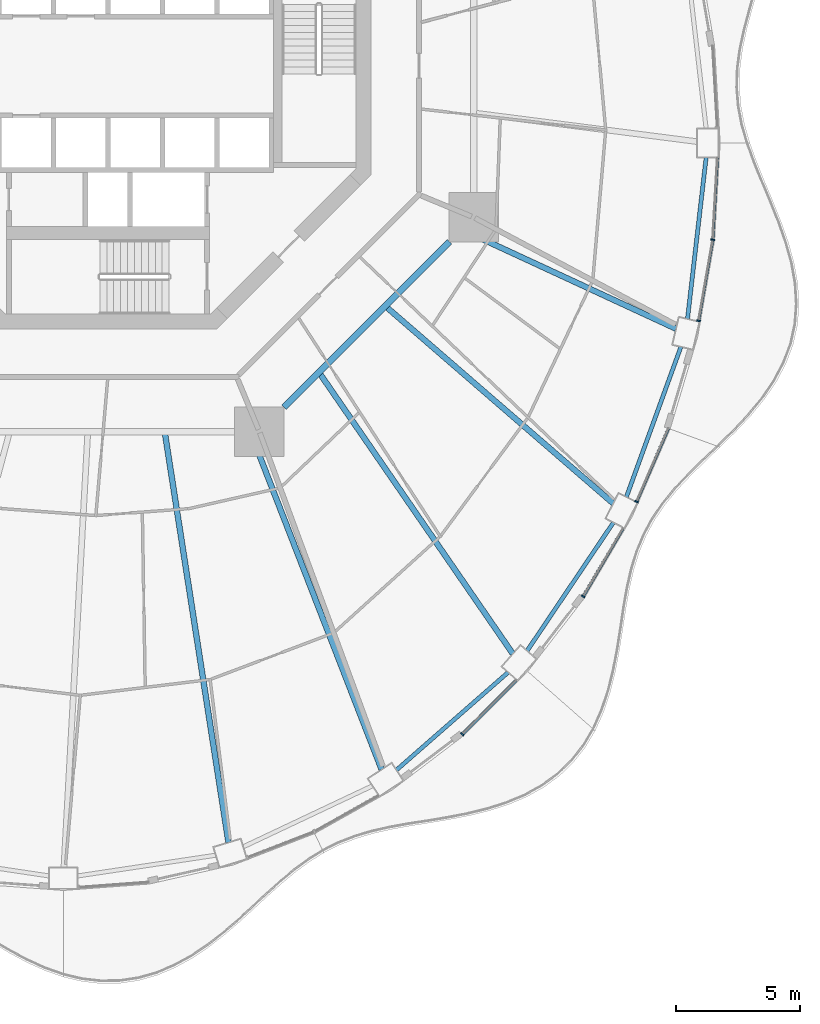
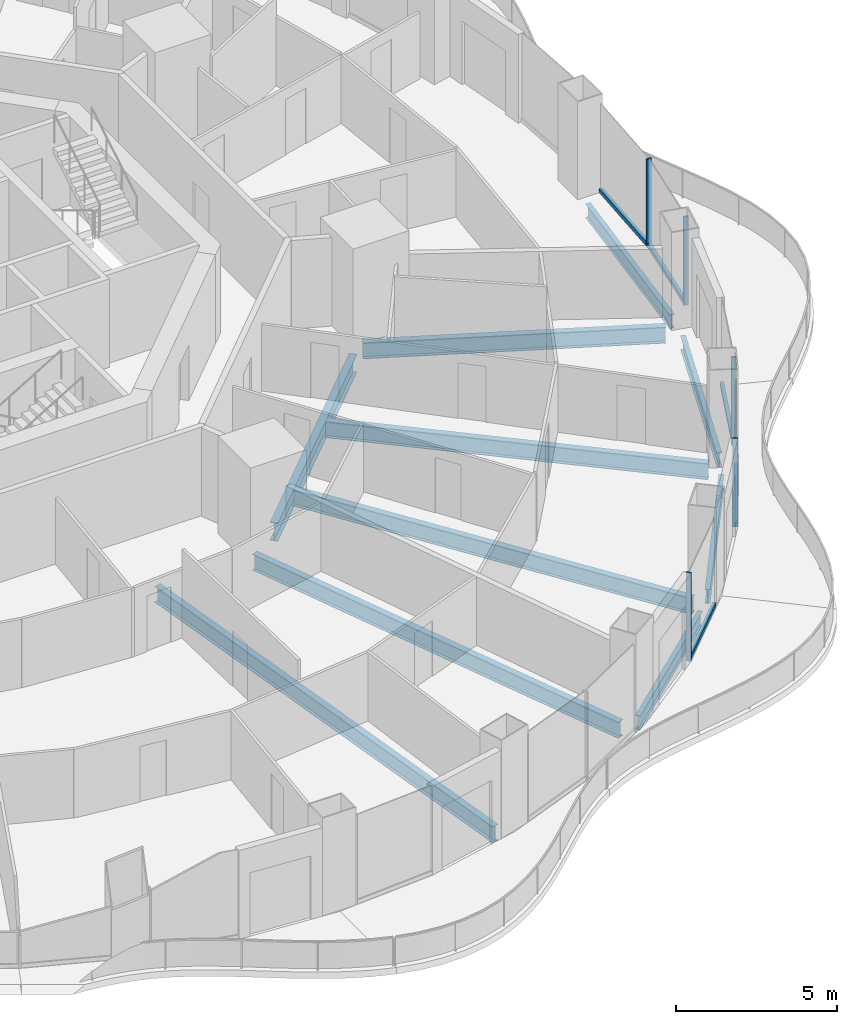
# One storey, part 6 of 21: 10 beams, 10 members, 5 elements without a shape of their own.
"""IFC4 building model written with IfcOpenShell, lengths in metres."""

from ifc_helpers import new_model, si_unit, direction, frame, origin, origin_2d, place, context, subcontext, project, spatial, rectangle, i_section, extrude, material, layer, layer_set, material_profile, profile_set, type_object, element, aggregate, save


model = new_model("IFC4")

# Units and contexts
model_context = context("Model", 3, precision=1e-05, world=origin(), true_north=direction((0.0, 1.0)))
body_context = subcontext(model_context, "Body", "Model", "MODEL_VIEW")
ifc_project = project(units=[si_unit("LENGTHUNIT", "METRE"), si_unit("AREAUNIT", "SQUARE_METRE"), si_unit("VOLUMEUNIT", "CUBIC_METRE"), si_unit("PLANEANGLEUNIT", "RADIAN"), si_unit("MASSUNIT", "GRAM", prefix="KILO")], contexts=[model_context])

# Site, building, storey
site_placement = place(None, origin())
site = spatial("IfcSite", under=ifc_project, at=site_placement, CompositionType="ELEMENT")
building_placement = place(site_placement, origin())
building = spatial("IfcBuilding", under=site, at=building_placement, Name="Nagisa Residences", CompositionType="ELEMENT")
storey_placement = place(building_placement, frame((0.0, 0.0, 156.60009765625)))
storey = spatial("IfcBuildingStorey", under=building, at=storey_placement, Name="L39", CompositionType="ELEMENT", Elevation=156.60009765625)

# Curtain wall, member
ifc_material_1 = material(Name="Concrete-coloured aluminium curtain wall system", Category="concrete")
ifc_layer = layer(ifc_material_1, 0.159912109375)
ifc_layer_set = layer_set([ifc_layer], Name="CW1 CURTAIN WALL")
curtain_wall_type = type_object("IfcCurtainWallType", Name="CW1 CURTAIN WALL", PredefinedType="NOTDEFINED", material=ifc_layer_set)
curtain_wall_1_placement = place(storey_placement, origin())
curtain_wall_1 = element("IfcCurtainWall", 1, at=curtain_wall_1_placement, inside=storey, type_object=curtain_wall_type, Name="cw:CW1:L39:41", PredefinedType="NOTDEFINED")
ifc_material_2 = material(Name="Concrete-coloured aluminium", Category="concrete")
ifc_material_profile_1 = material_profile(ifc_material_2, rectangle(XDim=0.159912109375, YDim=0.06005859375, at=origin_2d()), Name="CW1 MULLION 160x60")
ifc_profile_set_1 = profile_set([ifc_material_profile_1], Name="Concrete-coloured aluminium")
member_type_1 = type_object("IfcMemberType", Name="CW1 MULLION 160x60", PredefinedType="MULLION", material=ifc_profile_set_1)
member_1_placement = place(storey_placement, frame((14.318115234375, -26.9951171875, 0.0), z_axis=(0.0, 0.0, 1.0), x_axis=(-0.706376885714, 0.707835924016, 0.0)))
member_1 = element("IfcMember", 2, at=member_1_placement, type_object=member_type_1, Name="CW1 mullion", PredefinedType="MULLION", context=body_context, shape_type="SweptSolid", body=[
    extrude(rectangle(XDim=0.159912109375, YDim=0.06005859375, at=origin_2d()), origin(), (0.0, 0.0, 1.0), 3.349853515625),
])

curtain_wall_2_placement = place(storey_placement, origin())
curtain_wall_2 = element("IfcCurtainWall", 3, at=curtain_wall_2_placement, inside=storey, type_object=curtain_wall_type, Name="cw:CW1:L39:43", PredefinedType="NOTDEFINED")
member_2_placement = place(storey_placement, frame((19.19775390625, -21.432861328125, 0.0), z_axis=(0.0, 0.0, 1.0), x_axis=(-0.862328898214, 0.506348567002, 0.0)))
member_2 = element("IfcMember", 4, at=member_2_placement, type_object=member_type_1, Name="CW1 mullion", PredefinedType="MULLION", context=body_context, shape_type="SweptSolid", body=[
    extrude(rectangle(XDim=0.159912109375, YDim=0.06005859375, at=origin_2d()), origin(), (0.0, 0.0, 1.0), 3.349853515625),
])

curtain_wall_3_placement = place(storey_placement, origin())
curtain_wall_3 = element("IfcCurtainWall", 5, at=curtain_wall_3_placement, inside=storey, type_object=curtain_wall_type, Name="cw:CW1:L39:44", PredefinedType="NOTDEFINED")
member_3_placement = place(storey_placement, frame((21.357177734375, -17.605224609375, 0.0), z_axis=(0.0, 0.0, 1.0), x_axis=(-0.917543276295, 0.397635934147, 0.0)))
member_3 = element("IfcMember", 6, at=member_3_placement, type_object=member_type_1, Name="CW1 mullion", PredefinedType="MULLION", context=body_context, shape_type="SweptSolid", body=[
    extrude(rectangle(XDim=0.159912109375, YDim=0.06005859375, at=origin_2d()), origin(), (0.0, 0.0, 1.0), 3.349853515625),
])

curtain_wall_4_placement = place(storey_placement, origin())
curtain_wall_4 = element("IfcCurtainWall", 7, at=curtain_wall_4_placement, inside=storey, type_object=curtain_wall_type, Name="cw:CW1:L39:46", PredefinedType="NOTDEFINED")
member_4_placement = place(storey_placement, frame((23.860595703125, -10.29833984375, 0.0), z_axis=(0.0, 0.0, 1.0), x_axis=(-0.985063604377, 0.172190868898, 0.0)))
member_4 = element("IfcMember", 8, at=member_4_placement, type_object=member_type_1, Name="CW1 mullion", PredefinedType="MULLION", context=body_context, shape_type="SweptSolid", body=[
    extrude(rectangle(XDim=0.159912109375, YDim=0.06005859375, at=origin_2d()), origin(), (0.0, 0.0, 1.0), 3.349853515625),
])

curtain_wall_5_placement = place(storey_placement, origin())
curtain_wall_5 = element("IfcCurtainWall", 9, at=curtain_wall_5_placement, inside=storey, type_object=curtain_wall_type, Name="cw:CW1:L39:47", PredefinedType="NOTDEFINED")
member_5_placement = place(storey_placement, frame((24.429931640625, -7.0244140625, 0.0), z_axis=(0.0, 0.0, 1.0), x_axis=(-0.998345305184, 0.057503492216, 0.0)))
member_5 = element("IfcMember", 10, at=member_5_placement, type_object=member_type_1, Name="CW1 mullion", PredefinedType="MULLION", context=body_context, shape_type="SweptSolid", body=[
    extrude(rectangle(XDim=0.159912109375, YDim=0.06005859375, at=origin_2d()), origin(), (0.0, 0.0, 1.0), 3.349853515625),
])

# Member
ifc_material_3 = material(Name="Concrete-coloured aluminium", Category="concrete")
ifc_material_profile_2 = material_profile(ifc_material_3, rectangle(XDim=0.1201171875, YDim=0.14990234375, at=origin_2d()), Name="CW1 TRANSOM 120x150")
ifc_profile_set_2 = profile_set([ifc_material_profile_2], Name="Concrete-coloured aluminium")
member_type_2 = type_object("IfcMemberType", Name="CW1 TRANSOM 120x150", PredefinedType="USERDEFINED", material=ifc_profile_set_2)
member_6_placement = place(storey_placement, frame((14.296875, -27.016357421875, 0.074951171875), z_axis=(0.707857739375, 0.706355024621, 0.0), x_axis=(-0.706355024621, 0.707857739375, 0.0)))
member_6 = element("IfcMember", 11, at=member_6_placement, type_object=member_type_2, Name="CW1 transom", ObjectType="TRANSOM", PredefinedType="USERDEFINED", context=body_context, shape_type="SweptSolid", body=[
    extrude(rectangle(XDim=0.1201171875, YDim=0.14990234375, at=origin_2d()), origin(), (0.0, 0.0, 1.0), 3.0869140625),
])

aggregate(curtain_wall_1, [member_1, member_6])

member_7_placement = place(storey_placement, frame((19.1826171875, -21.458740234375, 0.074951171875), z_axis=(0.506348207891, 0.86232910908, 0.0), x_axis=(-0.86232910908, 0.506348207891, 0.0)))
member_7 = element("IfcMember", 12, at=member_7_placement, type_object=member_type_2, Name="CW1 transom", ObjectType="TRANSOM", PredefinedType="USERDEFINED", context=body_context, shape_type="SweptSolid", body=[
    extrude(rectangle(XDim=0.1201171875, YDim=0.14990234375, at=origin_2d()), origin(), (0.0, 0.0, 1.0), 3.208251953125),
])

aggregate(curtain_wall_2, [member_2, member_7])

member_8_placement = place(storey_placement, frame((21.34521484375, -17.6328125, 0.074951171875), z_axis=(0.397666272939, 0.917530127771, 0.0), x_axis=(-0.917530127771, 0.397666272939, 0.0)))
member_8 = element("IfcMember", 13, at=member_8_placement, type_object=member_type_2, Name="CW1 transom", ObjectType="TRANSOM", PredefinedType="USERDEFINED", context=body_context, shape_type="SweptSolid", body=[
    extrude(rectangle(XDim=0.1201171875, YDim=0.14990234375, at=origin_2d()), origin(), (0.0, 0.0, 1.0), 3.260498046875),
])

aggregate(curtain_wall_3, [member_3, member_8])

member_9_placement = place(storey_placement, frame((23.85546875, -10.327880859375, 0.074951171875), z_axis=(0.172163521006, 0.985068384446, 0.0), x_axis=(-0.985068384446, 0.172163521006, 0.0)))
member_9 = element("IfcMember", 14, at=member_9_placement, type_object=member_type_2, Name="CW1 transom", ObjectType="TRANSOM", PredefinedType="USERDEFINED", context=body_context, shape_type="SweptSolid", body=[
    extrude(rectangle(XDim=0.1201171875, YDim=0.14990234375, at=origin_2d()), origin(), (0.0, 0.0, 1.0), 3.33251953125),
])

aggregate(curtain_wall_4, [member_4, member_9])

member_10_placement = place(storey_placement, frame((24.42822265625, -7.054443359375, 0.074951171875), z_axis=(0.05746514539, 0.998347513176, 0.0), x_axis=(-0.998347513176, 0.05746514539, 0.0)))
member_10 = element("IfcMember", 15, at=member_10_placement, type_object=member_type_2, Name="CW1 transom", ObjectType="TRANSOM", PredefinedType="USERDEFINED", context=body_context, shape_type="SweptSolid", body=[
    extrude(rectangle(XDim=0.1201171875, YDim=0.14990234375, at=origin_2d()), origin(), (0.0, 0.0, 1.0), 3.347900390625),
])

aggregate(curtain_wall_5, [member_5, member_10])

# Beams
ifc_material_4 = material(Name="Steel ASTM A572 Gr 50", Category="steel")
ifc_material_profile_3 = material_profile(ifc_material_4, i_section(OverallWidth=0.25390625, OverallDepth=0.68408203125, WebThickness=0.012451171875, FlangeThickness=0.018798828125, at=origin_2d()), Name="W690x140")
ifc_profile_set_3 = profile_set([ifc_material_profile_3], Name="Steel ASTM A572 Gr 50")
beam_type_1 = type_object("IfcBeamType", Name="Inner ring beam W690x140", PredefinedType="BEAM", material=ifc_profile_set_3)
beam_1_placement = place(storey_placement, frame((7.10888671875, -13.796142578125, -0.60205078125), z_axis=(0.707106781187, 0.707106781187, 0.0), x_axis=(-0.707106781187, 0.707106781187, 0.0)))
element("IfcBeam", 16, at=beam_1_placement, inside=storey, type_object=beam_type_1, Name="beam:L39:ib7", PredefinedType="BEAM", context=body_context, shape_type="SweptSolid", body=[
    extrude(i_section(OverallWidth=0.25390625, OverallDepth=0.68408203125, WebThickness=0.012451171875, FlangeThickness=0.018798828125, at=origin_2d()), origin(), (0.0, 0.0, 1.0), 9.457275390625),
])
ifc_material_5 = material(Name="Steel ASTM A572 Gr 50", Category="steel")
ifc_material_profile_4 = material_profile(ifc_material_5, i_section(OverallWidth=0.166015625, OverallDepth=0.534912109375, WebThickness=0.01025390625, FlangeThickness=0.0166015625, at=origin_2d()), Name="W530x85")
ifc_profile_set_4 = profile_set([ifc_material_profile_4], Name="Steel ASTM A572 Gr 50")
beam_type_2 = type_object("IfcBeamType", Name="Perimeter ring beam W530x85", PredefinedType="BEAM", material=ifc_profile_set_4)
beam_2_placement = place(storey_placement, frame((11.658203125, -28.448486328125, -0.527587890625), z_axis=(0.75252371036, 0.658565156493, 0.0), x_axis=(-0.658565156493, 0.75252371036, 0.0)))
element("IfcBeam", 17, at=beam_2_placement, inside=storey, type_object=beam_type_2, Name="beam:L39:pb21", PredefinedType="BEAM", context=body_context, shape_type="SweptSolid", body=[
    extrude(i_section(OverallWidth=0.166015625, OverallDepth=0.534912109375, WebThickness=0.01025390625, FlangeThickness=0.0166015625, at=origin_2d()), origin(), (0.0, 0.0, 1.0), 5.994384765625),
])
beam_3_placement = place(storey_placement, frame((16.93603515625, -23.6298828125, -0.527587890625), z_axis=(0.558187951157, 0.82971453596, 0.0), x_axis=(-0.82971453596, 0.558187951157, 0.0)))
element("IfcBeam", 18, at=beam_3_placement, inside=storey, type_object=beam_type_2, Name="beam:L39:pb22", PredefinedType="BEAM", context=body_context, shape_type="SweptSolid", body=[
    extrude(i_section(OverallWidth=0.166015625, OverallDepth=0.534912109375, WebThickness=0.01025390625, FlangeThickness=0.0166015625, at=origin_2d()), origin(), (0.0, 0.0, 1.0), 6.24267578125),
])
beam_4_placement = place(storey_placement, frame((20.946533203125, -17.415771484375, -0.527587890625), z_axis=(0.341332802315, 0.93994250785, 0.0), x_axis=(-0.93994250785, 0.341332802315, 0.0)))
element("IfcBeam", 19, at=beam_4_placement, inside=storey, type_object=beam_type_2, Name="beam:L39:pb23", PredefinedType="BEAM", context=body_context, shape_type="SweptSolid", body=[
    extrude(i_section(OverallWidth=0.166015625, OverallDepth=0.534912109375, WebThickness=0.01025390625, FlangeThickness=0.0166015625, at=origin_2d()), origin(), (0.0, 0.0, 1.0), 6.450927734375),
])
beam_5_placement = place(storey_placement, frame((23.414794921875, -10.22314453125, -0.527587890625), z_axis=(0.114660786771, 0.993404703017, 0.0), x_axis=(-0.993404703017, 0.114660786771, 0.0)))
element("IfcBeam", 20, at=beam_5_placement, inside=storey, type_object=beam_type_2, Name="beam:L39:pb24", PredefinedType="BEAM", context=body_context, shape_type="SweptSolid", body=[
    extrude(i_section(OverallWidth=0.166015625, OverallDepth=0.534912109375, WebThickness=0.01025390625, FlangeThickness=0.0166015625, at=origin_2d()), origin(), (0.0, 0.0, 1.0), 6.568603515625),
])
ifc_material_6 = material(Name="Steel ASTM A572 Gr 50", Category="steel")
ifc_material_profile_5 = material_profile(ifc_material_6, i_section(OverallWidth=0.22900390625, OverallDepth=0.612060546875, WebThickness=0.011962890625, FlangeThickness=0.01953125, at=origin_2d()), Name="W610x125")
ifc_profile_set_5 = profile_set([ifc_material_profile_5], Name="Steel ASTM A572 Gr 50")
beam_type_3 = type_object("IfcBeamType", Name="Radial beam W610x125", PredefinedType="BEAM", material=ifc_profile_set_5)
beam_6_placement = place(storey_placement, frame((4.87158203125, -31.371337890625, -0.566162109375), z_axis=(-0.153441816097, 0.988157684316, 0.0), x_axis=(-0.988157684316, -0.153441816097, 0.0)))
element("IfcBeam", 21, at=beam_6_placement, inside=storey, type_object=beam_type_3, Name="beam:L39:rb20", PredefinedType="BEAM", context=body_context, shape_type="SweptSolid", body=[
    extrude(i_section(OverallWidth=0.22900390625, OverallDepth=0.612060546875, WebThickness=0.011962890625, FlangeThickness=0.01953125, at=origin_2d()), origin(), (0.0, 0.0, 1.0), 16.679443359375),
])
beam_7_placement = place(storey_placement, frame((11.057861328125, -28.424072265625, -0.566162109375), z_axis=(-0.362553351511, 0.931963018208, 0.0), x_axis=(-0.931963018208, -0.362553351511, 0.0)))
element("IfcBeam", 22, at=beam_7_placement, inside=storey, type_object=beam_type_3, Name="beam:L39:rb21", PredefinedType="BEAM", context=body_context, shape_type="SweptSolid", body=[
    extrude(i_section(OverallWidth=0.22900390625, OverallDepth=0.612060546875, WebThickness=0.011962890625, FlangeThickness=0.01953125, at=origin_2d()), origin(), (0.0, 0.0, 1.0), 14.521728515625),
])
beam_8_placement = place(storey_placement, frame((16.357666015625, -23.74951171875, -0.566162109375), z_axis=(-0.567235127754, 0.823555893575, 0.0), x_axis=(-0.823555893575, -0.567235127754, 0.0)))
element("IfcBeam", 23, at=beam_8_placement, inside=storey, type_object=beam_type_3, Name="beam:L39:rb22", PredefinedType="BEAM", context=body_context, shape_type="SweptSolid", body=[
    extrude(i_section(OverallWidth=0.22900390625, OverallDepth=0.612060546875, WebThickness=0.011962890625, FlangeThickness=0.01953125, at=origin_2d()), origin(), (0.0, 0.0, 1.0), 13.697509765625),
])
beam_9_placement = place(storey_placement, frame((20.41162109375, -17.6748046875, -0.566162109375), z_axis=(-0.755973913649, 0.654601742957, 0.0), x_axis=(-0.654601742957, -0.755973913649, 0.0)))
element("IfcBeam", 24, at=beam_9_placement, inside=storey, type_object=beam_type_3, Name="beam:L39:rb23", PredefinedType="BEAM", context=body_context, shape_type="SweptSolid", body=[
    extrude(i_section(OverallWidth=0.22900390625, OverallDepth=0.612060546875, WebThickness=0.011962890625, FlangeThickness=0.01953125, at=origin_2d()), origin(), (0.0, 0.0, 1.0), 12.072998046875),
])
beam_10_placement = place(storey_placement, frame((22.94921875, -10.618896484375, -0.566162109375), z_axis=(-0.907551024181, 0.419941827528, 0.0), x_axis=(-0.419941827528, -0.907551024181, 0.0)))
element("IfcBeam", 25, at=beam_10_placement, inside=storey, type_object=beam_type_3, Name="beam:L39:rb24", PredefinedType="BEAM", context=body_context, shape_type="SweptSolid", body=[
    extrude(i_section(OverallWidth=0.22900390625, OverallDepth=0.612060546875, WebThickness=0.011962890625, FlangeThickness=0.01953125, at=origin_2d()), origin(), (0.0, 0.0, 1.0), 9.424072265625),
])

save(model, "model.ifc")
